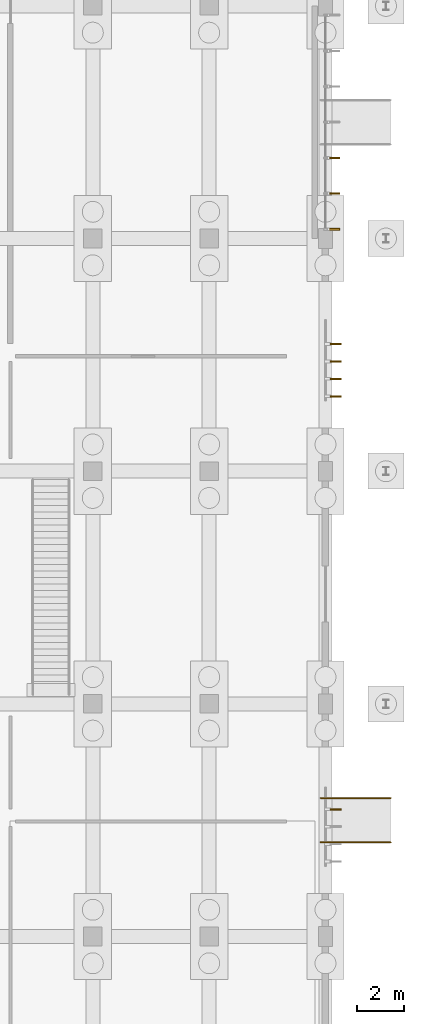
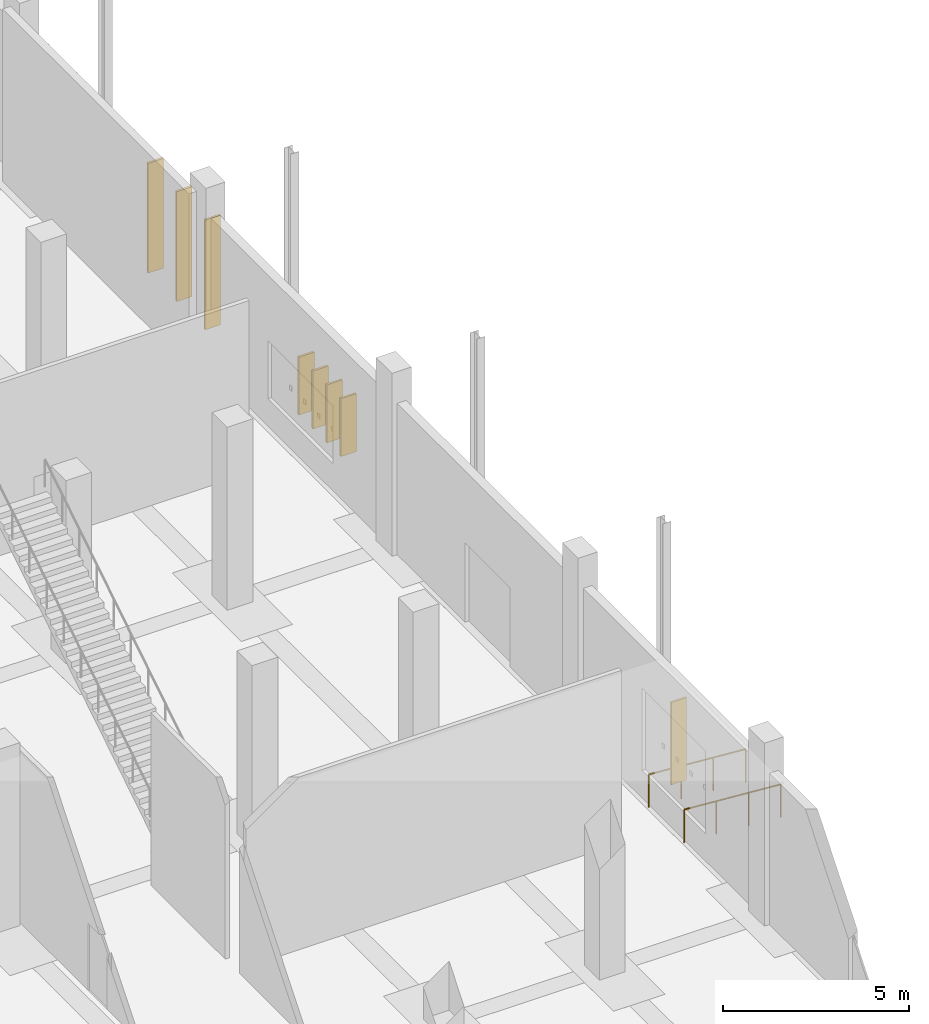
# One storey, part 130 of 140: 8 shading devices, 2 railings.
"""IFC4 building model written with IfcOpenShell, lengths in metres."""

from ifc_helpers import new_model, si_unit, direction, frame, origin, origin_2d, place, context, subcontext, project, spatial, rectangle, circle, extrude, material, layer, layer_set, type_object, element, save


model = new_model("IFC4")

# Units and contexts
model_context = context("Model", 3, precision=1e-05, world=origin(), true_north=direction((0.0, 1.0)))
body_context = subcontext(model_context, "Body", "Model", "MODEL_VIEW")
ifc_project = project(units=[si_unit("LENGTHUNIT", "METRE"), si_unit("AREAUNIT", "SQUARE_METRE"), si_unit("VOLUMEUNIT", "CUBIC_METRE"), si_unit("PLANEANGLEUNIT", "RADIAN"), si_unit("MASSUNIT", "GRAM", prefix="KILO")], contexts=[model_context])

# Site, building, storey
site_placement = place(None, origin())
site = spatial("IfcSite", under=ifc_project, at=site_placement, CompositionType="ELEMENT")
building_placement = place(site_placement, origin())
building = spatial("IfcBuilding", under=site, at=building_placement, Name="Corvandel Quay Wholesale Market", CompositionType="ELEMENT")
storey_placement = place(building_placement, origin())
storey = spatial("IfcBuildingStorey", under=building, at=storey_placement, Name="L00", CompositionType="ELEMENT", Elevation=0.0)

# Railings
ifc_material_1 = material(Name="Hot-dip galvanised painted steel", Category="steel")
ifc_layer = layer(ifc_material_1, 0.06005859375)
ifc_layer_set = layer_set([ifc_layer], Name="Hot-dip galvanised painted steel")
railing_type = type_object("IfcRailingType", Name="Galvanised Steel Guard Balustrade GR01 1100mm", PredefinedType="BALUSTRADE", material=ifc_layer_set)
for number, where, name in (
    (1, (250.800048828125, 35.949951171875, -0.219970703125), "Harbour Cafe Accessible Ramp Guard GR-0056"),
    (2, (250.800048828125, 34.050048828125, -0.219970703125), "Harbour Cafe Accessible Ramp Guard GR-0057"),
):
    element("IfcRailing", number, at=place(storey_placement, frame(where)), inside=storey, type_object=railing_type, Name=name, PredefinedType="BALUSTRADE", context=body_context, shape_type="SweptSolid", body=[
        extrude(circle(Radius=0.02392578125, at=origin_2d()), frame((0.0, 0.0, 1.076171875), z_axis=(-0.997322618282, 0.0, 0.073127252529), x_axis=(0.0, -1.0, 0.0)), (0.0, 0.0, 1.0), 3.008056640625),
        extrude(circle(Radius=0.02099609375, at=origin_2d()), origin(), (0.0, 0.0, 1.0), 1.052001953125),
        extrude(circle(Radius=0.02099609375, at=origin_2d()), frame((-1.0, 0.0, 0.0732421875)), (0.0, 0.0, 1.0), 1.052001953125),
        extrude(circle(Radius=0.02099609375, at=origin_2d()), frame((-2.0, 0.0, 0.146728515625)), (0.0, 0.0, 1.0), 1.052001953125),
        extrude(circle(Radius=0.02099609375, at=origin_2d()), frame((-3.0, 0.0, 0.219970703125)), (0.0, 0.0, 1.0), 1.052001953125),
    ])

# Shading devices
ifc_material_2 = material(Name="Bronze anodised extruded aluminium 6063-T6", Category="aluminium")
shading_device_type = type_object("IfcShadingDeviceType", Name="Vertical Anodised Bronze Solar Fin FN01 480mm", PredefinedType="JALOUSIE", material=ifc_material_2)
shading_device_placement = place(storey_placement, frame((248.43994140625, 35.469970703125, 0.89990234375), z_axis=(0.0, 0.0, 1.0), x_axis=(1.0, 0.0, 0.0)))
element("IfcShadingDevice", 3, at=shading_device_placement, inside=storey, type_object=shading_device_type, Name="Solar Fin 0602", PredefinedType="JALOUSIE", context=body_context, shape_type="SweptSolid", body=[
    extrude(rectangle(XDim=0.47998046875, YDim=0.06494140625, at=origin_2d()), origin(), (0.0, 0.0, 1.0), 2.699951171875),
])
for number, where, z_axis, x_axis, name in (
    (4, (248.43994140625, 53.219970703125, 0.900146484375), (0.0, 0.0, 1.0), (1.0, 0.0, 0.0), "Solar Fin 0603"),
    (5, (248.43994140625, 53.969970703125, 0.900146484375), (0.0, 0.0, 1.0), (1.0, 0.0, 0.0), "Solar Fin 0604"),
    (6, (248.43994140625, 54.719970703125, 0.900146484375), (0.0, 0.0, 1.0), (1.0, 0.0, 0.0), "Solar Fin 0605"),
    (7, (248.43994140625, 55.469970703125, 0.900146484375), (0.0, 0.0, 1.0), (1.0, 0.0, 0.0), "Solar Fin 0606"),
):
    element("IfcShadingDevice", number, at=place(storey_placement, frame(where, z_axis=z_axis, x_axis=x_axis)), inside=storey, type_object=shading_device_type, Name=name, PredefinedType="JALOUSIE", context=body_context, shape_type="SweptSolid", body=[
        extrude(rectangle(XDim=0.47998046875, YDim=0.06494140625, at=origin_2d()), origin(), (0.0, 0.0, 1.0), 1.89990234375),
    ])
for number, where, z_axis, x_axis, name in (
    (8, (248.3798828125, 60.39990234375, 0.724853515625), (0.0, 0.0, 1.0), (1.0, 0.0, 0.0), "Solar Fin 0607"),
    (9, (248.3798828125, 61.933349609375, 0.724853515625), (0.0, 0.0, 1.0), (1.0, 0.0, 0.0), "Solar Fin 0608"),
    (10, (248.3798828125, 63.466796875, 0.724853515625), (0.0, 0.0, 1.0), (1.0, 0.0, 0.0), "Solar Fin 0609"),
):
    element("IfcShadingDevice", number, at=place(storey_placement, frame(where, z_axis=z_axis, x_axis=x_axis)), inside=storey, type_object=shading_device_type, Name=name, PredefinedType="JALOUSIE", context=body_context, shape_type="SweptSolid", body=[
        extrude(rectangle(XDim=0.47998046875, YDim=0.06494140625, at=origin_2d()), origin(), (0.0, 0.0, 1.0), 3.60009765625),
    ])

save(model, "model.ifc")
